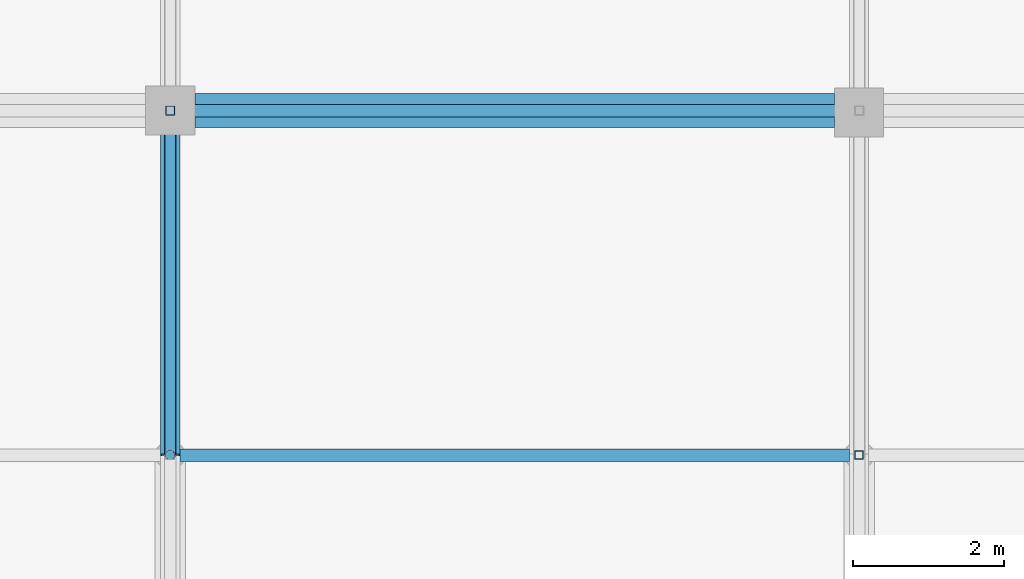
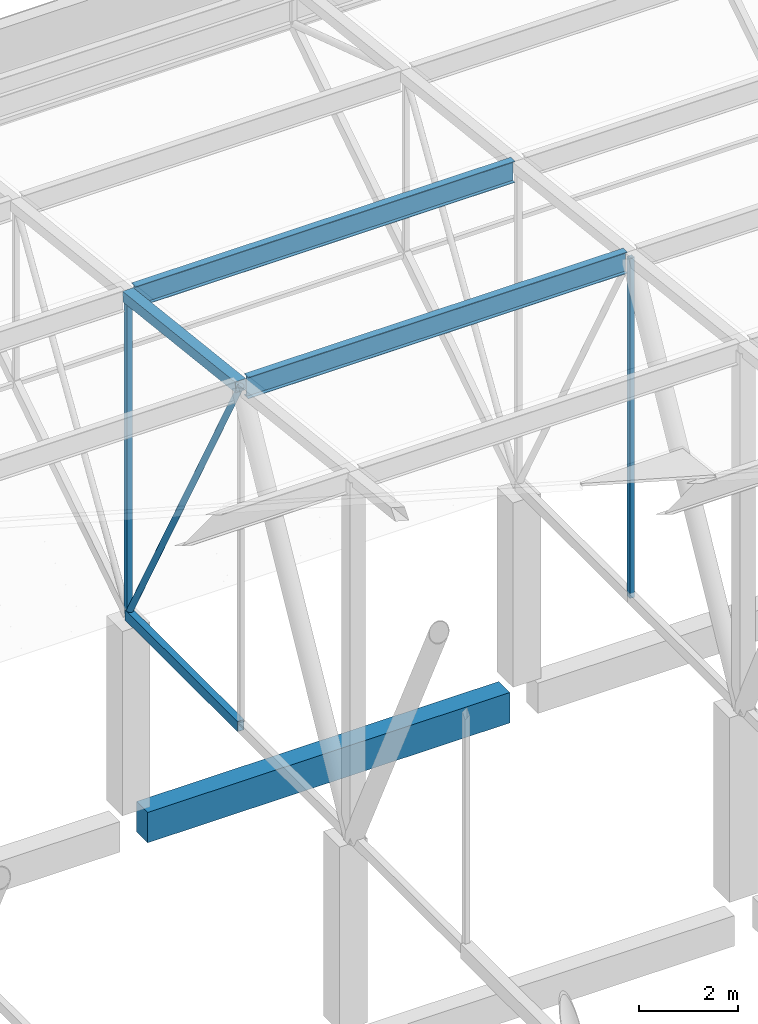
# One storey, part 307 of 500: 7 members, 1 beam.
"""IFC4 building model written with IfcOpenShell, lengths in metres."""

from ifc_helpers import new_model, si_unit, direction, frame, origin, origin_2d, place, context, subcontext, project, spatial, rectangle, hollow_rectangle, hollow_circle, i_section, extrude, material, material_profile, profile_set, type_object, element, save


model = new_model("IFC4")

# Units and contexts
model_context = context("Model", 3, precision=1e-05, world=origin(), true_north=direction((0.0, 1.0)))
body_context = subcontext(model_context, "Body", "Model", "MODEL_VIEW")
ifc_project = project(units=[si_unit("LENGTHUNIT", "METRE"), si_unit("AREAUNIT", "SQUARE_METRE"), si_unit("VOLUMEUNIT", "CUBIC_METRE"), si_unit("PLANEANGLEUNIT", "RADIAN"), si_unit("MASSUNIT", "GRAM", prefix="KILO")], contexts=[model_context])

# Site, building, storey
site_placement = place(None, origin())
site = spatial("IfcSite", under=ifc_project, at=site_placement, CompositionType="ELEMENT")
building_placement = place(site_placement, origin())
building = spatial("IfcBuilding", under=site, at=building_placement, Name="Shirokan Park Arena", CompositionType="ELEMENT")
storey_placement = place(building_placement, frame((0.0, 0.0, 29.1201171875)))
storey = spatial("IfcBuildingStorey", under=building, at=storey_placement, Name="L06", CompositionType="ELEMENT", Elevation=29.1201171875)

# Members
ifc_material_1 = material(Name="Steel ASTM A500 Grade C", Category="steel")
ifc_material_profile_1 = material_profile(ifc_material_1, hollow_rectangle(XDim=0.152099609375, YDim=0.25390625, WallThickness=0.009521484375, at=origin_2d()), Name="HSS254X152.4X9.5")
ifc_profile_set_1 = profile_set([ifc_material_profile_1], Name="Steel ASTM A500 Grade C")
member_type_1 = type_object("IfcMemberType", Name="Bottom chord HSS254X152.4X9.5", PredefinedType="CHORD", material=ifc_profile_set_1)
member_1_placement = place(storey_placement, frame((72.800048828125, 104.64990234375, 4.677001953125), z_axis=(0.0, 1.0, 0.0), x_axis=(-1.0, 0.0, 0.0)))
element("IfcMember", 1, at=member_1_placement, inside=storey, type_object=member_type_1, Name="Truss T09 bottom chord 26", PredefinedType="CHORD", context=body_context, shape_type="SweptSolid", body=[
    extrude(hollow_rectangle(XDim=0.152099609375, YDim=0.25390625, WallThickness=0.009521484375, at=origin_2d()), origin(), (0.0, 0.0, 1.0), 4.550048828125),
])
ifc_material_2 = material(Name="Steel ASTM A992", Category="steel")
ifc_material_profile_2 = material_profile(ifc_material_2, i_section(OverallWidth=0.166015625, OverallDepth=0.528076171875, WebThickness=0.009765625, FlangeThickness=0.013671875, at=origin_2d()), Name="W530X74")
ifc_profile_set_2 = profile_set([ifc_material_profile_2], Name="Steel ASTM A992")
member_type_2 = type_object("IfcMemberType", Name="Purlin W530X74", PredefinedType="PURLIN", material=ifc_profile_set_2)
for number, where, z_axis, x_axis, name in (
    (2, (72.927001953125, 104.64990234375, 13.005859375), (1.0, 0.0, 0.0), (0.0, 1.0, 0.0), "Purlin 26 bay 9"),
    (3, (72.927001953125, 109.199951171875, 12.48583984375), (1.0, 0.0, 0.0), (0.0, 1.0, 0.0), "Purlin 27 bay 9"),
):
    element("IfcMember", number, at=place(storey_placement, frame(where, z_axis=z_axis, x_axis=x_axis)), inside=storey, type_object=member_type_2, Name=name, PredefinedType="PURLIN", context=body_context, shape_type="SweptSolid", body=[
        extrude(i_section(OverallWidth=0.166015625, OverallDepth=0.528076171875, WebThickness=0.009765625, FlangeThickness=0.013671875, at=origin_2d()), origin(), (0.0, 0.0, 1.0), 8.845947265625),
    ])

# Beam
ifc_material_3 = material(Name="Concrete C35", Category="concrete")
ifc_material_profile_3 = material_profile(ifc_material_3, rectangle(XDim=0.449951171875, YDim=0.75, at=origin_2d()), Name="450x750")
ifc_profile_set_3 = profile_set([ifc_material_profile_3], Name="Concrete C35")
beam_type = type_object("IfcBeamType", Name="RC girder 450x750", PredefinedType="BEAM", material=ifc_profile_set_3)
beam_placement = place(storey_placement, frame((73.125, 109.199951171875, -0.5751953125), z_axis=(1.0, 0.0, 0.0), x_axis=(0.0, 1.0, 0.0)))
element("IfcBeam", 4, at=beam_placement, inside=storey, type_object=beam_type, Name="Girder 9N-10N L06", PredefinedType="BEAM", context=body_context, shape_type="SweptSolid", body=[
    extrude(rectangle(XDim=0.449951171875, YDim=0.75, at=origin_2d()), origin(), (0.0, 0.0, 1.0), 8.449951171875),
])

# Members
ifc_material_profile_4 = material_profile(ifc_material_1, hollow_rectangle(XDim=0.25390625, YDim=0.25390625, WallThickness=0.009521484375, at=origin_2d()), Name="HSS254X254X9.5")
ifc_profile_set_4 = profile_set([ifc_material_profile_4], Name="Steel ASTM A500 Grade C")
member_type_3 = type_object("IfcMemberType", Name="Top chord HSS254X254X9.5", PredefinedType="CHORD", material=ifc_profile_set_4)
member_2_placement = place(storey_placement, frame((72.800048828125, 104.64990234375, 13.061279296875), z_axis=(0.0, 0.993538341779, -0.113496975353), x_axis=(-1.0, 0.0, 0.0)))
element("IfcMember", 5, at=member_2_placement, inside=storey, type_object=member_type_3, Name="Truss T09 top chord 26", PredefinedType="CHORD", context=body_context, shape_type="SweptSolid", body=[
    extrude(hollow_rectangle(XDim=0.25390625, YDim=0.25390625, WallThickness=0.009521484375, at=origin_2d()), origin(), (0.0, 0.0, 1.0), 4.57958984375),
])
ifc_material_profile_5 = material_profile(ifc_material_1, hollow_circle(Radius=0.070556640625, WallThickness=0.006591796875, at=origin_2d()), Name="HSS141.3X6.6")
ifc_profile_set_5 = profile_set([ifc_material_profile_5], Name="Steel ASTM A500 Grade C")
member_type_4 = type_object("IfcMemberType", Name="Truss diagonal HSS141.3X6.6", PredefinedType="BRACE", material=ifc_profile_set_5)
member_3_placement = place(storey_placement, frame((72.800048828125, 104.64990234375, 13.061279296875), z_axis=(0.0, 0.476977206611, -0.878915663971), x_axis=(-1.0, 0.0, 0.0)))
element("IfcMember", 6, at=member_3_placement, inside=storey, type_object=member_type_4, Name="Truss T09 diagonal 26", PredefinedType="BRACE", context=body_context, shape_type="SweptSolid", body=[
    extrude(hollow_circle(Radius=0.070556640625, WallThickness=0.006591796875, at=origin_2d()), origin(), (0.0, 0.0, 1.0), 9.539306640625),
])
ifc_material_profile_6 = material_profile(ifc_material_1, hollow_rectangle(XDim=0.114013671875, YDim=0.114013671875, WallThickness=0.00634765625, at=origin_2d()), Name="HSS114.3X114.3X6.4")
ifc_profile_set_6 = profile_set([ifc_material_profile_6], Name="Steel ASTM A500 Grade C")
member_type_5 = type_object("IfcMemberType", Name="Truss post HSS114.3X114.3X6.4", PredefinedType="POST", material=ifc_profile_set_6)
member_4_placement = place(storey_placement, frame((81.89990234375, 104.64990234375, 4.677001953125), z_axis=(0.0, 0.0, 1.0), x_axis=(1.0, 0.0, 0.0)))
element("IfcMember", 7, at=member_4_placement, inside=storey, type_object=member_type_5, Name="Truss T10 post 26", PredefinedType="POST", context=body_context, shape_type="SweptSolid", body=[
    extrude(hollow_rectangle(XDim=0.114013671875, YDim=0.114013671875, WallThickness=0.00634765625, at=origin_2d()), origin(), (0.0, 0.0, 1.0), 8.38427734375),
])
ifc_material_profile_7 = material_profile(ifc_material_1, hollow_rectangle(XDim=0.126953125, YDim=0.126953125, WallThickness=0.0126953125, at=origin_2d()), Name="HSS127X127X12.7")
ifc_profile_set_7 = profile_set([ifc_material_profile_7], Name="Steel ASTM A500 Grade C")
member_type_6 = type_object("IfcMemberType", Name="Truss post HSS127X127X12.7", PredefinedType="POST", material=ifc_profile_set_7)
member_5_placement = place(storey_placement, frame((72.800048828125, 109.199951171875, 4.677001953125), z_axis=(0.0, 0.0, 1.0), x_axis=(1.0, 0.0, 0.0)))
element("IfcMember", 8, at=member_5_placement, inside=storey, type_object=member_type_6, Name="Truss T09 post 27", PredefinedType="POST", context=body_context, shape_type="SweptSolid", body=[
    extrude(hollow_rectangle(XDim=0.126953125, YDim=0.126953125, WallThickness=0.0126953125, at=origin_2d()), origin(), (0.0, 0.0, 1.0), 7.864501953125),
])

save(model, "model.ifc")
